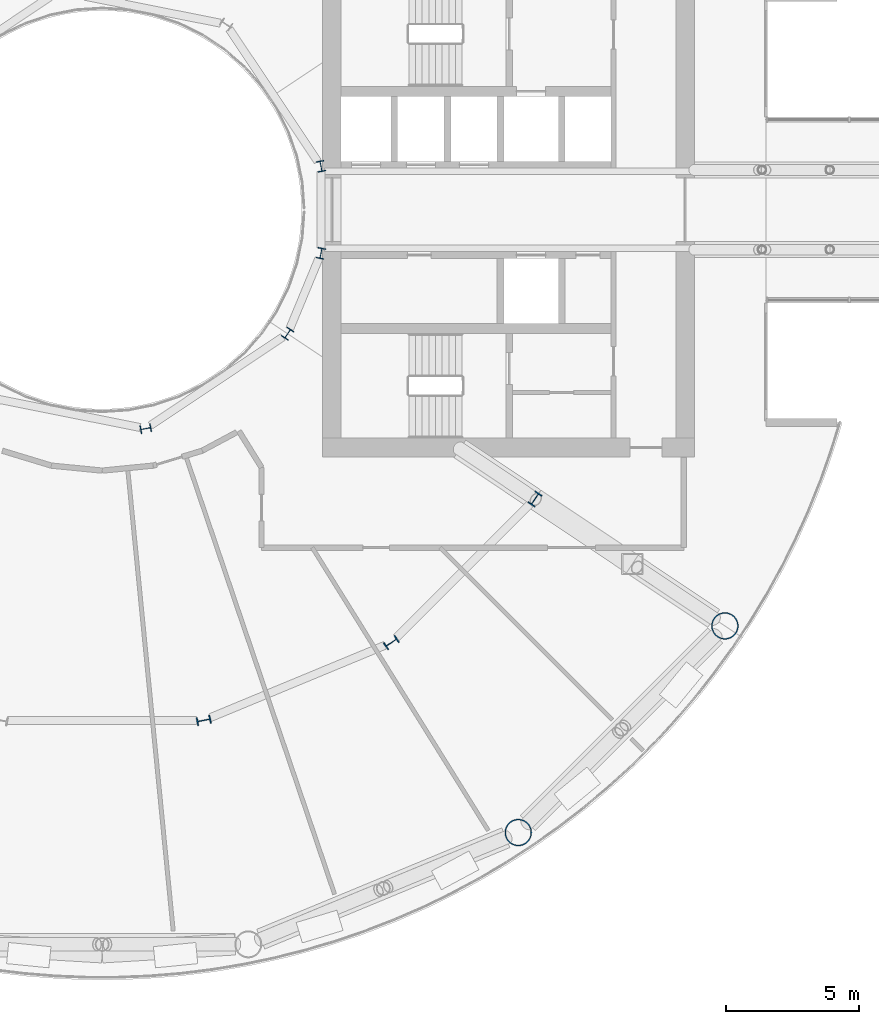
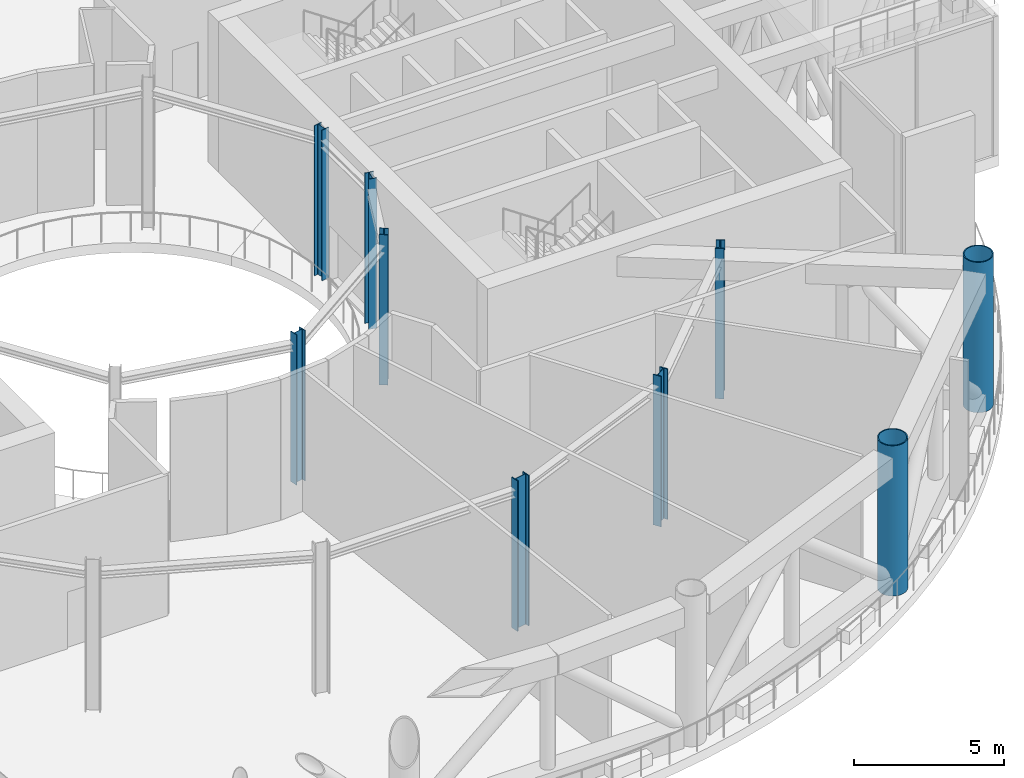
# One storey, part 2 of 23: 9 columns.
"""IFC4 building model written with IfcOpenShell, lengths in metres."""

from ifc_helpers import new_model, si_unit, direction, frame, origin, origin_2d, place, context, subcontext, project, spatial, hollow_circle, i_section, extrude, material, material_profile, profile_set, type_object, element, save


model = new_model("IFC4")

# Units and contexts
model_context = context("Model", 3, precision=1e-05, world=origin(), true_north=direction((0.0, 1.0)))
body_context = subcontext(model_context, "Body", "Model", "MODEL_VIEW")
ifc_project = project(units=[si_unit("LENGTHUNIT", "METRE"), si_unit("AREAUNIT", "SQUARE_METRE"), si_unit("VOLUMEUNIT", "CUBIC_METRE"), si_unit("PLANEANGLEUNIT", "RADIAN"), si_unit("MASSUNIT", "GRAM", prefix="KILO")], contexts=[model_context])

# Site, building, storey
site_placement = place(None, origin())
site = spatial("IfcSite", under=ifc_project, at=site_placement, CompositionType="ELEMENT")
building_placement = place(site_placement, origin())
building = spatial("IfcBuilding", under=site, at=building_placement, Name="Maasbend Ring Residences", CompositionType="ELEMENT")
storey_placement = place(building_placement, frame((0.0, 0.0, 97.14990234375)))
storey = spatial("IfcBuildingStorey", under=building, at=storey_placement, Name="L28", CompositionType="ELEMENT", Elevation=97.14990234375)

# Columns
ifc_material_1 = material(Name="Composite concrete-filled steel tube S460NH / C80/95", Category="concrete")
ifc_material_profile_1 = material_profile(ifc_material_1, hollow_circle(Radius=0.508056640625, WallThickness=0.0400390625, at=origin_2d()), Name="Composite tube column CHS 1016x40")
ifc_profile_set_1 = profile_set([ifc_material_profile_1], Name="Composite concrete-filled steel tube S460NH / C80/95")
column_type_1 = type_object("IfcColumnType", Name="Composite tube column CHS 1016x40", PredefinedType="COLUMN", material=ifc_profile_set_1)
for number, where, z_axis, x_axis, name in (
    (1, (15.6669921875, -23.447509765625, 0.0), (0.0, 0.0, 1.0), (1.0, 0.0, 0.0), "Outer column R14"),
    (2, (23.447509765625, -15.6669921875, 0.0), (0.0, 0.0, 1.0), (1.0, 0.0, 0.0), "Outer column R15"),
):
    element("IfcColumn", number, at=place(storey_placement, frame(where, z_axis=z_axis, x_axis=x_axis)), inside=storey, type_object=column_type_1, Name=name, PredefinedType="COLUMN", context=body_context, shape_type="SweptSolid", body=[
        extrude(hollow_circle(Radius=0.508056640625, WallThickness=0.0400390625, at=origin_2d()), origin(), (0.0, 0.0, 1.0), 6.10009765625),
    ])
ifc_material_2 = material(Name="Steel S355J2", Category="steel")
ifc_material_profile_2 = material_profile(ifc_material_2, i_section(OverallWidth=0.300048828125, OverallDepth=0.39990234375, WebThickness=0.013427734375, FlangeThickness=0.02392578125, FilletRadius=0.027099609375, at=origin_2d()), Name="HEB 400")
ifc_profile_set_2 = profile_set([ifc_material_profile_2], Name="Steel S355J2")
column_type_2 = type_object("IfcColumnType", Name="Steel column HEB 400", PredefinedType="COLUMN", material=ifc_profile_set_2)
for number, where, z_axis, x_axis, name in (
    (3, (8.238525390625, 1.638916015625, 0.0), (0.0, 0.0, 1.0), (0.980785280403, 0.195090322016, 0.0), "Well ring column R1"),
    (4, (1.638916015625, -8.238525390625, 0.0), (0.0, 0.0, 1.0), (0.195090322016, -0.980785280403, 0.0), "Well ring column R13"),
    (5, (6.984375, -4.666748046875, 0.0), (0.0, 0.0, 1.0), (0.831469612303, -0.55557023302, 0.0), "Well ring column R15"),
    (6, (8.238525390625, -1.638916015625, 0.0), (0.0, 0.0, 1.0), (0.980785280403, -0.195090322016, 0.0), "Well ring column R16"),
):
    element("IfcColumn", number, at=place(storey_placement, frame(where, z_axis=z_axis, x_axis=x_axis)), inside=storey, type_object=column_type_2, Name=name, PredefinedType="COLUMN", context=body_context, shape_type="SweptSolid", body=[
        extrude(i_section(OverallWidth=0.300048828125, OverallDepth=0.39990234375, WebThickness=0.013427734375, FlangeThickness=0.02392578125, FilletRadius=0.027099609375, at=origin_2d()), origin(), (0.0, 0.0, 1.0), 6.10009765625),
    ])
ifc_material_3 = material(Name="Steel S460M", Category="steel")
ifc_material_profile_3 = material_profile(ifc_material_3, i_section(OverallWidth=0.305908203125, OverallDepth=0.52392578125, WebThickness=0.02099609375, FlangeThickness=0.0400390625, FilletRadius=0.027099609375, at=origin_2d()), Name="HEM 500")
ifc_profile_set_3 = profile_set([ifc_material_profile_3], Name="Steel S460M")
column_type_3 = type_object("IfcColumnType", Name="Steel column HEM 500", PredefinedType="COLUMN", material=ifc_profile_set_3)
for number, where, z_axis, x_axis, name in (
    (7, (3.82373046875, -19.223388671875, 0.0), (0.0, 0.0, 1.0), (0.195090322016, -0.980785280403, 0.0), "Corridor ring column R13"),
    (8, (10.88916015625, -16.296875, 0.0), (0.0, 0.0, 1.0), (0.55557023302, -0.831469612303, 0.0), "Corridor ring column R14"),
    (9, (16.296875, -10.88916015625, 0.0), (0.0, 0.0, 1.0), (0.831469612303, -0.55557023302, 0.0), "Corridor ring column R15"),
):
    element("IfcColumn", number, at=place(storey_placement, frame(where, z_axis=z_axis, x_axis=x_axis)), inside=storey, type_object=column_type_3, Name=name, PredefinedType="COLUMN", context=body_context, shape_type="SweptSolid", body=[
        extrude(i_section(OverallWidth=0.305908203125, OverallDepth=0.52392578125, WebThickness=0.02099609375, FlangeThickness=0.0400390625, FilletRadius=0.027099609375, at=origin_2d()), origin(), (0.0, 0.0, 1.0), 6.10009765625),
    ])

save(model, "model.ifc")
